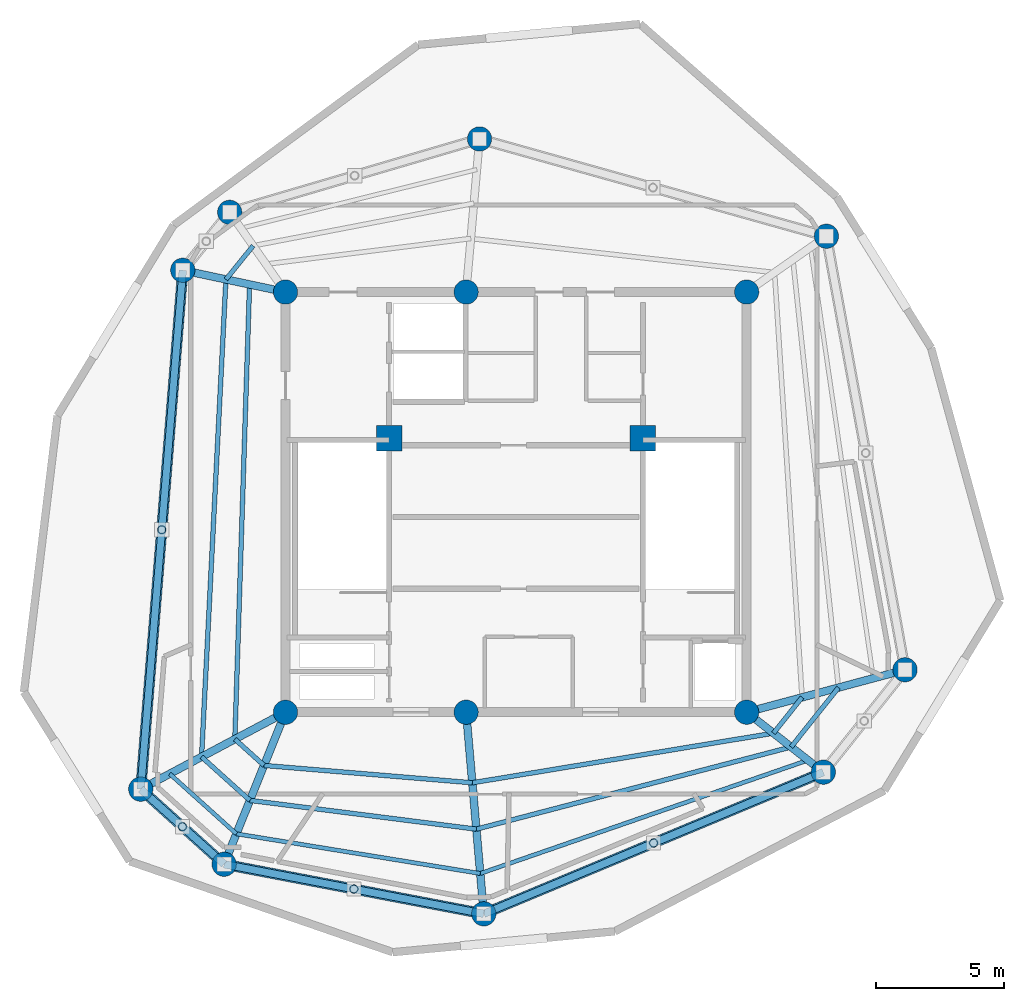
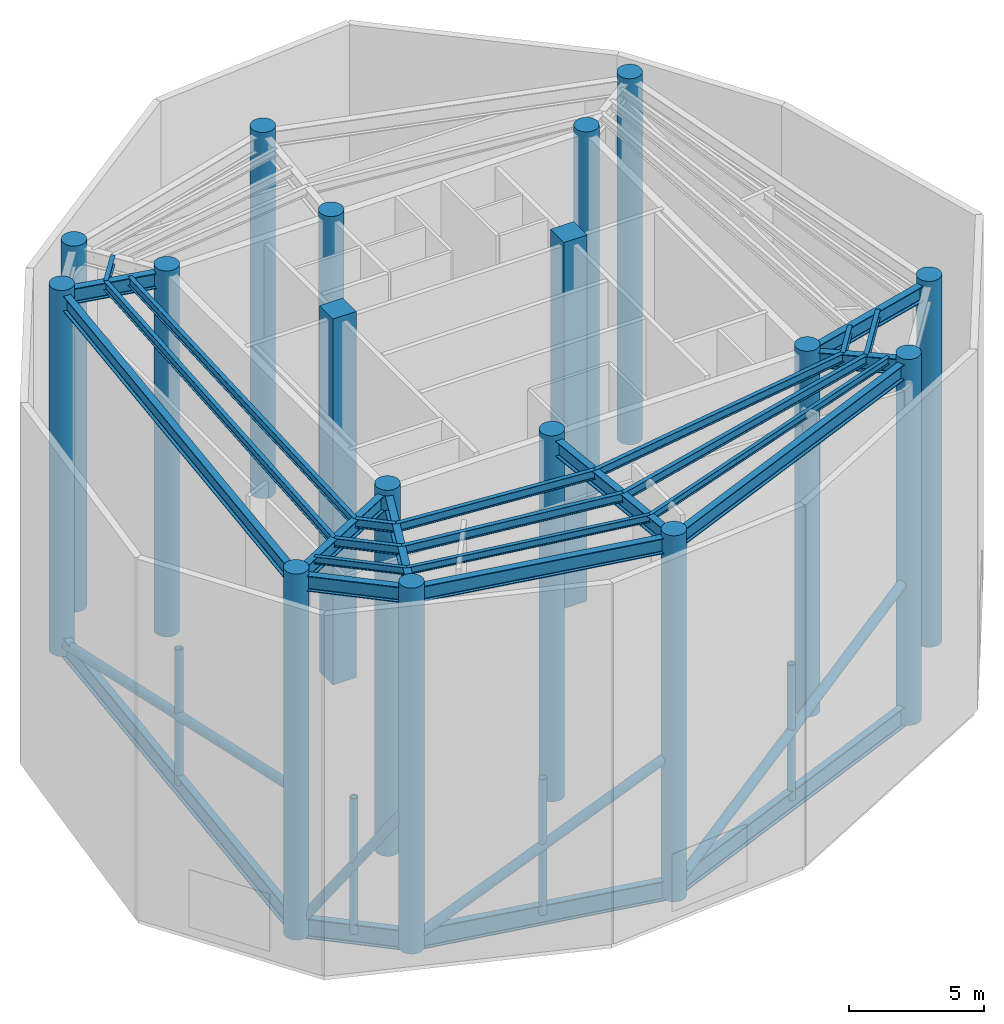
# One storey, part 1 of 6: 24 beams, 17 columns, 12 members.
"""IFC4 building model written with IfcOpenShell, lengths in metres."""

from ifc_helpers import new_model, si_unit, direction, frame, origin, origin_with_axes, origin_2d, place, context, subcontext, project, spatial, rectangle, circle, hollow_circle, i_section, extrude, source, transform, mapped, material, material_profile, profile_set, type_object, element, save


model = new_model("IFC4")

# Units and contexts
model_context = context("Model", 3, precision=1e-05, world=origin(), true_north=direction((0.0, 1.0)))
body_context = subcontext(model_context, "Body", "Model", "MODEL_VIEW")
ifc_project = project(units=[si_unit("LENGTHUNIT", "METRE"), si_unit("AREAUNIT", "SQUARE_METRE"), si_unit("VOLUMEUNIT", "CUBIC_METRE"), si_unit("PLANEANGLEUNIT", "RADIAN"), si_unit("MASSUNIT", "GRAM", prefix="KILO")], contexts=[model_context])

# Site, building, storey
site_placement = place(None, origin())
site = spatial("IfcSite", under=ifc_project, at=site_placement, CompositionType="ELEMENT")
building_placement = place(site_placement, origin())
building = spatial("IfcBuilding", under=site, at=building_placement, Name="Karkom Vertical University and Central Library", CompositionType="ELEMENT")
storey_placement = place(building_placement, frame((0.0, 0.0, 273.39990234375)))
storey = spatial("IfcBuildingStorey", under=building, at=storey_placement, Name="C81", CompositionType="ELEMENT", Elevation=273.39990234375)

# Columns
ifc_material_1 = material(Name="Concrete C45/55", Category="concrete")
ifc_material_profile_1 = material_profile(ifc_material_1, circle(Radius=0.47509765625, at=origin_2d()), Name="CFT-D950")
ifc_profile_set_1 = profile_set([ifc_material_profile_1], Name="Concrete C45/55")
column_type_1 = type_object("IfcColumnType", Name="STR-COL-C-CRN", PredefinedType="COLUMN", material=ifc_profile_set_1)
shared_shape_1 = source(origin_with_axes(), body_context, "Body", "SweptSolid", [
    extrude(circle(Radius=0.47509765625, at=origin_2d()), origin(), (0.0, 0.0, 1.0), 16.60009765625),
])
for number, where, z_axis, x_axis, name in (
    (1, (19.5, 18.300048828125, 0.0), (0.0, 0.0, 1.0), (1.0, 0.0, 0.0), "Crown Level 81 Spine Mega-Column SC-1"),
    (2, (26.550048828125, 18.300048828125, 0.0), (0.0, 0.0, 1.0), (1.0, 0.0, 0.0), "Crown Level 81 Spine Mega-Column SC-2"),
    (3, (37.5, 18.300048828125, 0.0), (0.0, 0.0, 1.0), (1.0, 0.0, 0.0), "Crown Level 81 Spine Mega-Column SC-3"),
    (4, (19.5, 34.699951171875, 0.0), (0.0, 0.0, 1.0), (1.0, 0.0, 0.0), "Crown Level 81 Spine Mega-Column SC-4"),
    (5, (26.550048828125, 34.699951171875, 0.0), (0.0, 0.0, 1.0), (1.0, 0.0, 0.0), "Crown Level 81 Spine Mega-Column SC-5"),
    (6, (37.5, 34.699951171875, 0.0), (0.0, 0.0, 1.0), (1.0, 0.0, 0.0), "Crown Level 81 Spine Mega-Column SC-6"),
    (7, (43.681884765625, 19.9560546875, 0.0), (0.0, 0.0, 1.0), (1.0, 0.0, 0.0), "Crown Level 81 Perimeter Mega-Column Z4-PC1"),
    (8, (40.613037109375, 36.8798828125, 0.0), (0.0, 0.0, 1.0), (1.0, 0.0, 0.0), "Crown Level 81 Perimeter Mega-Column Z4-PC2"),
    (9, (27.072998046875, 40.677001953125, 0.0), (0.0, 0.0, 1.0), (1.0, 0.0, 0.0), "Crown Level 81 Perimeter Mega-Column Z4-PC3"),
    (10, (17.320068359375, 37.81298828125, 0.0), (0.0, 0.0, 1.0), (1.0, 0.0, 0.0), "Crown Level 81 Perimeter Mega-Column Z4-PC4"),
    (11, (15.489990234375, 35.552001953125, 0.0), (0.0, 0.0, 1.0), (1.0, 0.0, 0.0), "Crown Level 81 Perimeter Mega-Column Z4-PC5"),
    (12, (13.84912109375, 15.294921875, 0.0), (0.0, 0.0, 1.0), (1.0, 0.0, 0.0), "Crown Level 81 Perimeter Mega-Column Z4-PC6"),
    (13, (17.10302734375, 12.365966796875, 0.0), (0.0, 0.0, 1.0), (1.0, 0.0, 0.0), "Crown Level 81 Perimeter Mega-Column Z4-PC7"),
    (14, (27.239013671875, 10.429931640625, 0.0), (0.0, 0.0, 1.0), (1.0, 0.0, 0.0), "Crown Level 81 Perimeter Mega-Column Z4-PC8"),
    (15, (40.493896484375, 15.9599609375, 0.0), (0.0, 0.0, 1.0), (1.0, 0.0, 0.0), "Crown Level 81 Perimeter Mega-Column Z4-PC9"),
):
    element("IfcColumn", number, at=place(storey_placement, frame(where, z_axis=z_axis, x_axis=x_axis)), inside=storey, type_object=column_type_1, Name=name, PredefinedType="COLUMN", context=body_context, shape_type="MappedRepresentation", body=[
        mapped(shared_shape_1, transform((0.0, 0.0, 0.0), scale=1.0)),
    ])
ifc_material_2 = material(Name="Concrete C50/60", Category="concrete")
ifc_material_profile_2 = material_profile(ifc_material_2, rectangle(XDim=1.0, YDim=1.0, at=origin_2d()), Name="RC-1000x1000")
ifc_profile_set_2 = profile_set([ifc_material_profile_2], Name="Concrete C50/60")
column_type_2 = type_object("IfcColumnType", Name="STR-COL-C-CC2", PredefinedType="COLUMN", material=ifc_profile_set_2)
shared_shape_2 = source(origin_with_axes(), body_context, "Body", "SweptSolid", [
    extrude(rectangle(XDim=1.0, YDim=1.0, at=origin_2d()), origin(), (0.0, 0.0, 1.0), 16.60009765625),
])
for number, where, z_axis, x_axis, name in (
    (16, (23.550048828125, 29.0, 0.0), (0.0, 0.0, 1.0), (1.0, 0.0, 0.0), "Crown Level 81 Core Node Column CC-1"),
    (17, (33.449951171875, 29.0, 0.0), (0.0, 0.0, 1.0), (1.0, 0.0, 0.0), "Crown Level 81 Core Node Column CC-2"),
):
    element("IfcColumn", number, at=place(storey_placement, frame(where, z_axis=z_axis, x_axis=x_axis)), inside=storey, type_object=column_type_2, Name=name, PredefinedType="COLUMN", context=body_context, shape_type="MappedRepresentation", body=[
        mapped(shared_shape_2, transform((0.0, 0.0, 0.0), scale=1.0)),
    ])

# Beams
ifc_material_3 = material(Name="Steel S355", Category="steel")
ifc_material_profile_3 = material_profile(ifc_material_3, i_section(OverallWidth=0.179931640625, OverallDepth=0.39990234375, WebThickness=0.008544921875, FlangeThickness=0.013427734375, FilletRadius=0.02099609375, at=origin_2d()), Name="IPE 400")
ifc_profile_set_3 = profile_set([ifc_material_profile_3], Name="Steel S355")
beam_type_1 = type_object("IfcBeamType", Name="STR-BM-SB-IPE400", PredefinedType="BEAM", material=ifc_profile_set_3)
shared_shape_3 = source(origin_with_axes(), body_context, "Body", "SweptSolid", [
    extrude(i_section(OverallWidth=0.179931640625, OverallDepth=0.39990234375, WebThickness=0.008544921875, FlangeThickness=0.013427734375, FilletRadius=0.02099609375, at=origin_2d()), origin(), (0.0, 0.0, 1.0), 17.75927734375),
])
beam_1_placement = place(storey_placement, frame((18.096435546875, 34.998291015625, 16.150146484375), z_axis=(-0.032333437334, -0.999477137723, 0.0), x_axis=(0.999477137723, -0.032333437334, 0.0)))
element("IfcBeam", 18, at=beam_1_placement, inside=storey, type_object=beam_type_1, Name="Crown Level 81 Secondary Composite Floor Beam 1.05", PredefinedType="BEAM", context=body_context, shape_type="MappedRepresentation", body=[
    mapped(shared_shape_3, transform((0.0, 0.0, 0.0), scale=1.0)),
])
shared_shape_4 = source(origin_with_axes(), body_context, "Body", "SweptSolid", [
    extrude(i_section(OverallWidth=0.179931640625, OverallDepth=0.39990234375, WebThickness=0.008544921875, FlangeThickness=0.013427734375, FilletRadius=0.02099609375, at=origin_2d()), origin(), (0.0, 0.0, 1.0), 1.5322265625),
])
beam_2_placement = place(storey_placement, frame((17.522216796875, 17.248291015625, 16.150146484375), z_axis=(0.743183211059, -0.669087972392, 0.0), x_axis=(0.669087972392, 0.743183211059, 0.0)))
element("IfcBeam", 19, at=beam_2_placement, inside=storey, type_object=beam_type_1, Name="Crown Level 81 Secondary Composite Floor Beam 1.06", PredefinedType="BEAM", context=body_context, shape_type="MappedRepresentation", body=[
    mapped(shared_shape_4, transform((0.0, 0.0, 0.0), scale=1.0)),
])
shared_shape_5 = source(origin_with_axes(), body_context, "Body", "SweptSolid", [
    extrude(i_section(OverallWidth=0.179931640625, OverallDepth=0.39990234375, WebThickness=0.008544921875, FlangeThickness=0.013427734375, FilletRadius=0.02099609375, at=origin_2d()), origin(), (0.0, 0.0, 1.0), 8.15869140625),
])
beam_3_placement = place(storey_placement, frame((18.660888671875, 16.22314453125, 16.150146484375), z_axis=(0.996543694183, -0.083070244882, 0.0), x_axis=(0.083070244882, 0.996543694183, 0.0)))
element("IfcBeam", 20, at=beam_3_placement, inside=storey, type_object=beam_type_1, Name="Crown Level 81 Secondary Composite Floor Beam 1.07", PredefinedType="BEAM", context=body_context, shape_type="MappedRepresentation", body=[
    mapped(shared_shape_5, transform((0.0, 0.0, 0.0), scale=1.0)),
])
shared_shape_6 = source(origin_with_axes(), body_context, "Body", "SweptSolid", [
    extrude(i_section(OverallWidth=0.179931640625, OverallDepth=0.39990234375, WebThickness=0.008544921875, FlangeThickness=0.013427734375, FilletRadius=0.02099609375, at=origin_2d()), origin(), (0.0, 0.0, 1.0), 11.914794921875),
])
beam_4_placement = place(storey_placement, frame((26.791259765625, 15.54541015625, 16.150146484375), z_axis=(0.986717073469, 0.162448197663, 0.0), x_axis=(-0.162448197663, 0.986717073469, 0.0)))
element("IfcBeam", 21, at=beam_4_placement, inside=storey, type_object=beam_type_1, Name="Crown Level 81 Secondary Composite Floor Beam 1.08", PredefinedType="BEAM", context=body_context, shape_type="MappedRepresentation", body=[
    mapped(shared_shape_6, transform((0.0, 0.0, 0.0), scale=1.0)),
])
shared_shape_7 = source(origin_with_axes(), body_context, "Body", "SweptSolid", [
    extrude(i_section(OverallWidth=0.179931640625, OverallDepth=0.39990234375, WebThickness=0.008544921875, FlangeThickness=0.013427734375, FilletRadius=0.02099609375, at=origin_2d()), origin(), (0.0, 0.0, 1.0), 1.789306640625),
])
beam_5_placement = place(storey_placement, frame((38.5478515625, 17.48095703125, 16.150146484375), z_axis=(0.623679519349, 0.781680150154, 0.0), x_axis=(-0.781680150154, 0.623679519349, 0.0)))
element("IfcBeam", 22, at=beam_5_placement, inside=storey, type_object=beam_type_1, Name="Crown Level 81 Secondary Composite Floor Beam 1.09", PredefinedType="BEAM", context=body_context, shape_type="MappedRepresentation", body=[
    mapped(shared_shape_7, transform((0.0, 0.0, 0.0), scale=1.0)),
])
shared_shape_8 = source(origin_with_axes(), body_context, "Body", "SweptSolid", [
    extrude(i_section(OverallWidth=0.179931640625, OverallDepth=0.39990234375, WebThickness=0.008544921875, FlangeThickness=0.013427734375, FilletRadius=0.02099609375, at=origin_2d()), origin(), (0.0, 0.0, 1.0), 1.68701171875),
])
beam_6_placement = place(storey_placement, frame((18.235595703125, 36.505615234375, 16.150146484375), z_axis=(-0.629044191861, -0.777369541908, 0.0), x_axis=(0.777369541908, -0.629044191861, 0.0)))
element("IfcBeam", 23, at=beam_6_placement, inside=storey, type_object=beam_type_1, Name="Crown Level 81 Secondary Composite Floor Beam 2.04", PredefinedType="BEAM", context=body_context, shape_type="MappedRepresentation", body=[
    mapped(shared_shape_8, transform((0.0, 0.0, 0.0), scale=1.0)),
])
shared_shape_9 = source(origin_with_axes(), body_context, "Body", "SweptSolid", [
    extrude(i_section(OverallWidth=0.179931640625, OverallDepth=0.39990234375, WebThickness=0.008544921875, FlangeThickness=0.013427734375, FilletRadius=0.02099609375, at=origin_2d()), origin(), (0.0, 0.0, 1.0), 18.661376953125),
])
beam_7_placement = place(storey_placement, frame((17.17431640625, 35.194091796875, 16.150146484375), z_axis=(-0.051009656211, -0.998698160093, 0.0), x_axis=(0.998698160093, -0.051009656211, 0.0)))
element("IfcBeam", 24, at=beam_7_placement, inside=storey, type_object=beam_type_1, Name="Crown Level 81 Secondary Composite Floor Beam 2.05", PredefinedType="BEAM", context=body_context, shape_type="MappedRepresentation", body=[
    mapped(shared_shape_9, transform((0.0, 0.0, 0.0), scale=1.0)),
])
shared_shape_10 = source(origin_with_axes(), body_context, "Body", "SweptSolid", [
    extrude(i_section(OverallWidth=0.179931640625, OverallDepth=0.39990234375, WebThickness=0.008544921875, FlangeThickness=0.013427734375, FilletRadius=0.02099609375, at=origin_2d()), origin(), (0.0, 0.0, 1.0), 2.5390625),
])
beam_8_placement = place(storey_placement, frame((16.222412109375, 16.55712890625, 16.150146484375), z_axis=(0.743246334517, -0.669017851949, 0.0), x_axis=(0.669017851949, 0.743246334517, 0.0)))
element("IfcBeam", 25, at=beam_8_placement, inside=storey, type_object=beam_type_1, Name="Crown Level 81 Secondary Composite Floor Beam 2.06", PredefinedType="BEAM", context=body_context, shape_type="MappedRepresentation", body=[
    mapped(shared_shape_10, transform((0.0, 0.0, 0.0), scale=1.0)),
])
shared_shape_11 = source(origin_with_axes(), body_context, "Body", "SweptSolid", [
    extrude(i_section(OverallWidth=0.179931640625, OverallDepth=0.39990234375, WebThickness=0.008544921875, FlangeThickness=0.013427734375, FilletRadius=0.02099609375, at=origin_2d()), origin(), (0.0, 0.0, 1.0), 8.9111328125),
])
beam_9_placement = place(storey_placement, frame((18.109619140625, 14.8583984375, 16.150146484375), z_axis=(0.992026771403, -0.126027317751, 0.0), x_axis=(0.126027317751, 0.992026771403, 0.0)))
element("IfcBeam", 26, at=beam_9_placement, inside=storey, type_object=beam_type_1, Name="Crown Level 81 Secondary Composite Floor Beam 2.07", PredefinedType="BEAM", context=body_context, shape_type="MappedRepresentation", body=[
    mapped(shared_shape_11, transform((0.0, 0.0, 0.0), scale=1.0)),
])
shared_shape_12 = source(origin_with_axes(), body_context, "Body", "SweptSolid", [
    extrude(i_section(OverallWidth=0.179931640625, OverallDepth=0.39990234375, WebThickness=0.008544921875, FlangeThickness=0.013427734375, FilletRadius=0.02099609375, at=origin_2d()), origin(), (0.0, 0.0, 1.0), 12.69873046875),
])
beam_10_placement = place(storey_placement, frame((26.94970703125, 13.7353515625, 16.150146484375), z_axis=(0.967573974729, 0.252587813301, 0.0), x_axis=(-0.252587813301, 0.967573974729, 0.0)))
element("IfcBeam", 27, at=beam_10_placement, inside=storey, type_object=beam_type_1, Name="Crown Level 81 Secondary Composite Floor Beam 2.08", PredefinedType="BEAM", context=body_context, shape_type="MappedRepresentation", body=[
    mapped(shared_shape_12, transform((0.0, 0.0, 0.0), scale=1.0)),
])
shared_shape_13 = source(origin_with_axes(), body_context, "Body", "SweptSolid", [
    extrude(i_section(OverallWidth=0.179931640625, OverallDepth=0.39990234375, WebThickness=0.008544921875, FlangeThickness=0.013427734375, FilletRadius=0.02099609375, at=origin_2d()), origin(), (0.0, 0.0, 1.0), 2.96484375),
])
beam_11_placement = place(storey_placement, frame((39.236572265625, 16.94287109375, 16.150146484375), z_axis=(0.623670236397, 0.781687556657, 0.0), x_axis=(-0.781687556657, 0.623670236397, 0.0)))
element("IfcBeam", 28, at=beam_11_placement, inside=storey, type_object=beam_type_1, Name="Crown Level 81 Secondary Composite Floor Beam 2.09", PredefinedType="BEAM", context=body_context, shape_type="MappedRepresentation", body=[
    mapped(shared_shape_13, transform((0.0, 0.0, 0.0), scale=1.0)),
])
ifc_material_profile_4 = material_profile(ifc_material_3, i_section(OverallWidth=0.159912109375, OverallDepth=0.330078125, WebThickness=0.007568359375, FlangeThickness=0.011474609375, FilletRadius=0.01806640625, at=origin_2d()), Name="IPE 330")
ifc_profile_set_4 = profile_set([ifc_material_profile_4], Name="Steel S355")
beam_type_2 = type_object("IfcBeamType", Name="STR-BM-SB-IPE330", PredefinedType="BEAM", material=ifc_profile_set_4)
shared_shape_14 = source(origin_with_axes(), body_context, "Body", "SweptSolid", [
    extrude(i_section(OverallWidth=0.159912109375, OverallDepth=0.330078125, WebThickness=0.007568359375, FlangeThickness=0.011474609375, FilletRadius=0.01806640625, at=origin_2d()), origin(), (0.0, 0.0, 1.0), 3.50244140625),
])
beam_12_placement = place(storey_placement, frame((14.979248046875, 15.89599609375, 16.18505859375), z_axis=(0.743249087562, -0.669014793437, 0.0), x_axis=(0.669014793437, 0.743249087562, 0.0)))
element("IfcBeam", 29, at=beam_12_placement, inside=storey, type_object=beam_type_2, Name="Crown Level 81 Secondary Composite Floor Beam 3.06", PredefinedType="BEAM", context=body_context, shape_type="MappedRepresentation", body=[
    mapped(shared_shape_14, transform((0.0, 0.0, 0.0), scale=1.0)),
])
shared_shape_15 = source(origin_with_axes(), body_context, "Body", "SweptSolid", [
    extrude(i_section(OverallWidth=0.159912109375, OverallDepth=0.330078125, WebThickness=0.007568359375, FlangeThickness=0.011474609375, FilletRadius=0.01806640625, at=origin_2d()), origin(), (0.0, 0.0, 1.0), 9.64404296875),
])
beam_13_placement = place(storey_placement, frame((17.58251953125, 13.552734375, 16.18505859375), z_axis=(0.987019497924, -0.160600469231, 0.0), x_axis=(0.160600469231, 0.987019497924, 0.0)))
element("IfcBeam", 30, at=beam_13_placement, inside=storey, type_object=beam_type_2, Name="Crown Level 81 Secondary Composite Floor Beam 3.07", PredefinedType="BEAM", context=body_context, shape_type="MappedRepresentation", body=[
    mapped(shared_shape_15, transform((0.0, 0.0, 0.0), scale=1.0)),
])
shared_shape_16 = source(origin_with_axes(), body_context, "Body", "SweptSolid", [
    extrude(i_section(OverallWidth=0.159912109375, OverallDepth=0.330078125, WebThickness=0.007568359375, FlangeThickness=0.011474609375, FilletRadius=0.01806640625, at=origin_2d()), origin(), (0.0, 0.0, 1.0), 13.537353515625),
])
beam_14_placement = place(storey_placement, frame((27.101318359375, 12.00390625, 16.18505859375), z_axis=(0.945091088216, 0.32680703018, 0.0), x_axis=(-0.32680703018, 0.945091088216, 0.0)))
element("IfcBeam", 31, at=beam_14_placement, inside=storey, type_object=beam_type_2, Name="Crown Level 81 Secondary Composite Floor Beam 3.08", PredefinedType="BEAM", context=body_context, shape_type="MappedRepresentation", body=[
    mapped(shared_shape_16, transform((0.0, 0.0, 0.0), scale=1.0)),
])

# Members
ifc_material_4 = material(Name="Steel S460", Category="steel")
ifc_material_profile_5 = material_profile(ifc_material_4, i_section(OverallWidth=0.300048828125, OverallDepth=0.89990234375, WebThickness=0.0185546875, FlangeThickness=0.034912109375, FilletRadius=0.030029296875, at=origin_2d()), Name="HE 900 B")
ifc_profile_set_5 = profile_set([ifc_material_profile_5], Name="Steel S460")
member_type_1 = type_object("IfcMemberType", Name="STR-MEM-CH-1", PredefinedType="CHORD", material=ifc_profile_set_5)
shared_shape_17 = source(origin_with_axes(), body_context, "Body", "SweptSolid", [
    extrude(i_section(OverallWidth=0.300048828125, OverallDepth=0.89990234375, WebThickness=0.0185546875, FlangeThickness=0.034912109375, FilletRadius=0.030029296875, at=origin_2d()), origin(), (0.0, 0.0, 1.0), 20.323486328125),
])
member_1_placement = place(storey_placement, frame((15.489990234375, 35.552001953125, 0.35009765625), z_axis=(-0.080737811681, -0.996735373991, 0.0), x_axis=(0.996735373991, -0.080737811681, 0.0)))
element("IfcMember", 32, at=member_1_placement, inside=storey, type_object=member_type_1, Name="Crown Level 81 Belt Truss Bottom Chord 05", PredefinedType="CHORD", context=body_context, shape_type="MappedRepresentation", body=[
    mapped(shared_shape_17, transform((0.0, 0.0, 0.0), scale=1.0)),
])
shared_shape_18 = source(origin_with_axes(), body_context, "Body", "SweptSolid", [
    extrude(i_section(OverallWidth=0.300048828125, OverallDepth=0.89990234375, WebThickness=0.0185546875, FlangeThickness=0.034912109375, FilletRadius=0.030029296875, at=origin_2d()), origin(), (0.0, 0.0, 1.0), 4.3779296875),
])
member_2_placement = place(storey_placement, frame((13.84912109375, 15.294921875, 0.35009765625), z_axis=(0.743244232405, -0.669020187287, 0.0), x_axis=(0.669020187287, 0.743244232405, 0.0)))
element("IfcMember", 33, at=member_2_placement, inside=storey, type_object=member_type_1, Name="Crown Level 81 Belt Truss Bottom Chord 06", PredefinedType="CHORD", context=body_context, shape_type="MappedRepresentation", body=[
    mapped(shared_shape_18, transform((0.0, 0.0, 0.0), scale=1.0)),
])
shared_shape_19 = source(origin_with_axes(), body_context, "Body", "SweptSolid", [
    extrude(i_section(OverallWidth=0.300048828125, OverallDepth=0.89990234375, WebThickness=0.0185546875, FlangeThickness=0.034912109375, FilletRadius=0.030029296875, at=origin_2d()), origin(), (0.0, 0.0, 1.0), 10.3193359375),
])
member_3_placement = place(storey_placement, frame((17.10302734375, 12.365966796875, 0.35009765625), z_axis=(0.982242767385, -0.187614354249, 0.0), x_axis=(0.187614354249, 0.982242767385, 0.0)))
element("IfcMember", 34, at=member_3_placement, inside=storey, type_object=member_type_1, Name="Crown Level 81 Belt Truss Bottom Chord 07", PredefinedType="CHORD", context=body_context, shape_type="MappedRepresentation", body=[
    mapped(shared_shape_19, transform((0.0, 0.0, 0.0), scale=1.0)),
])
shared_shape_20 = source(origin_with_axes(), body_context, "Body", "SweptSolid", [
    extrude(i_section(OverallWidth=0.300048828125, OverallDepth=0.89990234375, WebThickness=0.0185546875, FlangeThickness=0.034912109375, FilletRadius=0.030029296875, at=origin_2d()), origin(), (0.0, 0.0, 1.0), 14.3623046875),
])
member_4_placement = place(storey_placement, frame((27.239013671875, 10.429931640625, 0.35009765625), z_axis=(0.922899796194, 0.385040213725, 0.0), x_axis=(-0.385040213725, 0.922899796194, 0.0)))
element("IfcMember", 35, at=member_4_placement, inside=storey, type_object=member_type_1, Name="Crown Level 81 Belt Truss Bottom Chord 08", PredefinedType="CHORD", context=body_context, shape_type="MappedRepresentation", body=[
    mapped(shared_shape_20, transform((0.0, 0.0, 0.0), scale=1.0)),
])

# Beams
ifc_material_profile_6 = material_profile(ifc_material_3, i_section(OverallWidth=0.300048828125, OverallDepth=0.699951171875, WebThickness=0.01708984375, FlangeThickness=0.031982421875, FilletRadius=0.027099609375, at=origin_2d()), Name="HE 700 B")
ifc_profile_set_6 = profile_set([ifc_material_profile_6], Name="Steel S355")
beam_type_3 = type_object("IfcBeamType", Name="STR-BM-SB-HE700", PredefinedType="USERDEFINED", material=ifc_profile_set_6)
shared_shape_21 = source(origin_with_axes(), body_context, "Body", "SweptSolid", [
    extrude(i_section(OverallWidth=0.300048828125, OverallDepth=0.699951171875, WebThickness=0.01708984375, FlangeThickness=0.031982421875, FilletRadius=0.027099609375, at=origin_2d()), origin(), (0.0, 0.0, 1.0), 6.39990234375),
])
for number, where, z_axis, x_axis, name in (
    (36, (37.5, 18.300048828125, 16.0), (0.965942432948, 0.258757060254, 0.0), (-0.258757060254, 0.965942432948, 0.0), "Crown Level 81 Radial Frame Girder 01"),
    (37, (19.5, 18.300048828125, 16.0), (-0.374532429749, -0.927213815183, 0.0), (0.927213815183, -0.374532429749, 0.0), "Crown Level 81 Radial Frame Girder 07"),
):
    element("IfcBeam", number, at=place(storey_placement, frame(where, z_axis=z_axis, x_axis=x_axis)), inside=storey, type_object=beam_type_3, Name=name, ObjectType="GIRDER", PredefinedType="USERDEFINED", context=body_context, shape_type="MappedRepresentation", body=[
        mapped(shared_shape_21, transform((0.0, 0.0, 0.0), scale=1.0)),
    ])
shared_shape_22 = source(origin_with_axes(), body_context, "Body", "SweptSolid", [
    extrude(i_section(OverallWidth=0.300048828125, OverallDepth=0.699951171875, WebThickness=0.01708984375, FlangeThickness=0.031982421875, FilletRadius=0.027099609375, at=origin_2d()), origin(), (0.0, 0.0, 1.0), 4.099609375),
])
beam_15_placement = place(storey_placement, frame((19.5, 34.699951171875, 16.0), z_axis=(-0.978162634602, 0.207840949453, 0.0), x_axis=(-0.207840949453, -0.978162634602, 0.0)))
element("IfcBeam", 38, at=beam_15_placement, inside=storey, type_object=beam_type_3, Name="Crown Level 81 Radial Frame Girder 05", ObjectType="GIRDER", PredefinedType="USERDEFINED", context=body_context, shape_type="MappedRepresentation", body=[
    mapped(shared_shape_22, transform((0.0, 0.0, 0.0), scale=1.0)),
])
shared_shape_23 = source(origin_with_axes(), body_context, "Body", "SweptSolid", [
    extrude(i_section(OverallWidth=0.300048828125, OverallDepth=0.699951171875, WebThickness=0.01708984375, FlangeThickness=0.031982421875, FilletRadius=0.027099609375, at=origin_2d()), origin(), (0.0, 0.0, 1.0), 6.400146484375),
])
beam_16_placement = place(storey_placement, frame((19.5, 18.300048828125, 16.0), z_axis=(-0.882915120857, -0.469532628645, 0.0), x_axis=(0.469532628645, -0.882915120857, 0.0)))
element("IfcBeam", 39, at=beam_16_placement, inside=storey, type_object=beam_type_3, Name="Crown Level 81 Radial Frame Girder 06", ObjectType="GIRDER", PredefinedType="USERDEFINED", context=body_context, shape_type="MappedRepresentation", body=[
    mapped(shared_shape_23, transform((0.0, 0.0, 0.0), scale=1.0)),
])
shared_shape_24 = source(origin_with_axes(), body_context, "Body", "SweptSolid", [
    extrude(i_section(OverallWidth=0.300048828125, OverallDepth=0.699951171875, WebThickness=0.01708984375, FlangeThickness=0.031982421875, FilletRadius=0.027099609375, at=origin_2d()), origin(), (0.0, 0.0, 1.0), 7.900146484375),
])
beam_17_placement = place(storey_placement, frame((26.550048828125, 18.300048828125, 16.0), z_axis=(0.087208352312, -0.996190093951, 0.0), x_axis=(0.996190093951, 0.087208352312, 0.0)))
element("IfcBeam", 40, at=beam_17_placement, inside=storey, type_object=beam_type_3, Name="Crown Level 81 Radial Frame Girder 08", ObjectType="GIRDER", PredefinedType="USERDEFINED", context=body_context, shape_type="MappedRepresentation", body=[
    mapped(shared_shape_24, transform((0.0, 0.0, 0.0), scale=1.0)),
])
shared_shape_25 = source(origin_with_axes(), body_context, "Body", "SweptSolid", [
    extrude(i_section(OverallWidth=0.300048828125, OverallDepth=0.699951171875, WebThickness=0.01708984375, FlangeThickness=0.031982421875, FilletRadius=0.027099609375, at=origin_2d()), origin(), (0.0, 0.0, 1.0), 3.7998046875),
])
beam_18_placement = place(storey_placement, frame((37.5, 18.300048828125, 16.0), z_axis=(0.787883114707, -0.61582481077, 0.0), x_axis=(0.61582481077, 0.787883114707, 0.0)))
element("IfcBeam", 41, at=beam_18_placement, inside=storey, type_object=beam_type_3, Name="Crown Level 81 Radial Frame Girder 09", ObjectType="GIRDER", PredefinedType="USERDEFINED", context=body_context, shape_type="MappedRepresentation", body=[
    mapped(shared_shape_25, transform((0.0, 0.0, 0.0), scale=1.0)),
])
shared_shape_26 = source(origin_with_axes(), body_context, "Body", "SweptSolid", [
    extrude(i_section(OverallWidth=0.300048828125, OverallDepth=0.699951171875, WebThickness=0.01708984375, FlangeThickness=0.031982421875, FilletRadius=0.027099609375, at=origin_2d()), origin(), (0.0, 0.0, 1.0), 20.323486328125),
])
beam_19_placement = place(storey_placement, frame((15.489990234375, 35.552001953125, 16.0), z_axis=(-0.080737811681, -0.996735373991, 0.0), x_axis=(0.996735373991, -0.080737811681, 0.0)))
element("IfcBeam", 42, at=beam_19_placement, inside=storey, type_object=beam_type_3, Name="Crown Level 81 Perimeter Spandrel Beam 05", ObjectType="GIRDER", PredefinedType="USERDEFINED", context=body_context, shape_type="MappedRepresentation", body=[
    mapped(shared_shape_26, transform((0.0, 0.0, 0.0), scale=1.0)),
])
shared_shape_27 = source(origin_with_axes(), body_context, "Body", "SweptSolid", [
    extrude(i_section(OverallWidth=0.300048828125, OverallDepth=0.699951171875, WebThickness=0.01708984375, FlangeThickness=0.031982421875, FilletRadius=0.027099609375, at=origin_2d()), origin(), (0.0, 0.0, 1.0), 4.3779296875),
])
beam_20_placement = place(storey_placement, frame((13.84912109375, 15.294921875, 16.0), z_axis=(0.743244232405, -0.669020187287, 0.0), x_axis=(0.669020187287, 0.743244232405, 0.0)))
element("IfcBeam", 43, at=beam_20_placement, inside=storey, type_object=beam_type_3, Name="Crown Level 81 Perimeter Spandrel Beam 06", ObjectType="GIRDER", PredefinedType="USERDEFINED", context=body_context, shape_type="MappedRepresentation", body=[
    mapped(shared_shape_27, transform((0.0, 0.0, 0.0), scale=1.0)),
])
shared_shape_28 = source(origin_with_axes(), body_context, "Body", "SweptSolid", [
    extrude(i_section(OverallWidth=0.300048828125, OverallDepth=0.699951171875, WebThickness=0.01708984375, FlangeThickness=0.031982421875, FilletRadius=0.027099609375, at=origin_2d()), origin(), (0.0, 0.0, 1.0), 10.3193359375),
])
beam_21_placement = place(storey_placement, frame((17.10302734375, 12.365966796875, 16.0), z_axis=(0.982242767385, -0.187614354249, 0.0), x_axis=(0.187614354249, 0.982242767385, 0.0)))
element("IfcBeam", 44, at=beam_21_placement, inside=storey, type_object=beam_type_3, Name="Crown Level 81 Perimeter Spandrel Beam 07", ObjectType="GIRDER", PredefinedType="USERDEFINED", context=body_context, shape_type="MappedRepresentation", body=[
    mapped(shared_shape_28, transform((0.0, 0.0, 0.0), scale=1.0)),
])
shared_shape_29 = source(origin_with_axes(), body_context, "Body", "SweptSolid", [
    extrude(i_section(OverallWidth=0.300048828125, OverallDepth=0.699951171875, WebThickness=0.01708984375, FlangeThickness=0.031982421875, FilletRadius=0.027099609375, at=origin_2d()), origin(), (0.0, 0.0, 1.0), 14.3623046875),
])
beam_22_placement = place(storey_placement, frame((27.239013671875, 10.429931640625, 16.0), z_axis=(0.922899796194, 0.385040213725, 0.0), x_axis=(-0.385040213725, 0.922899796194, 0.0)))
element("IfcBeam", 45, at=beam_22_placement, inside=storey, type_object=beam_type_3, Name="Crown Level 81 Perimeter Spandrel Beam 08", ObjectType="GIRDER", PredefinedType="USERDEFINED", context=body_context, shape_type="MappedRepresentation", body=[
    mapped(shared_shape_29, transform((0.0, 0.0, 0.0), scale=1.0)),
])

# Members
ifc_material_profile_7 = material_profile(ifc_material_3, hollow_circle(Radius=0.161865234375, WallThickness=0.01611328125, at=origin_2d()), Name="CHS 323.9x16")
ifc_profile_set_7 = profile_set([ifc_material_profile_7], Name="Steel S355")
member_type_2 = type_object("IfcMemberType", Name="STR-MEM-PT-1", PredefinedType="POST", material=ifc_profile_set_7)
shared_shape_30 = source(origin_with_axes(), body_context, "Body", "SweptSolid", [
    extrude(hollow_circle(Radius=0.161865234375, WallThickness=0.01611328125, at=origin_2d()), origin(), (0.0, 0.0, 1.0), 6.14990234375),
])
for number, where, z_axis, x_axis, name in (
    (46, (14.66943359375, 25.423583984375, 0.35009765625), (0.0, 0.0, 1.0), (1.0, 0.0, 0.0), "Crown Level 81 Belt Truss Web Post 05"),
    (47, (15.47607421875, 13.83056640625, 0.35009765625), (0.0, 0.0, 1.0), (1.0, 0.0, 0.0), "Crown Level 81 Belt Truss Web Post 06"),
    (48, (22.1708984375, 11.39794921875, 0.35009765625), (0.0, 0.0, 1.0), (1.0, 0.0, 0.0), "Crown Level 81 Belt Truss Web Post 07"),
    (49, (33.866455078125, 13.195068359375, 0.35009765625), (0.0, 0.0, 1.0), (1.0, 0.0, 0.0), "Crown Level 81 Belt Truss Web Post 08"),
):
    element("IfcMember", number, at=place(storey_placement, frame(where, z_axis=z_axis, x_axis=x_axis)), inside=storey, type_object=member_type_2, Name=name, PredefinedType="POST", context=body_context, shape_type="MappedRepresentation", body=[
        mapped(shared_shape_30, transform((0.0, 0.0, 0.0), scale=1.0)),
    ])
ifc_material_profile_8 = material_profile(ifc_material_3, hollow_circle(Radius=0.203125, WallThickness=0.02001953125, at=origin_2d()), Name="CHS 406.4x20")
ifc_profile_set_8 = profile_set([ifc_material_profile_8], Name="Steel S355")
member_type_3 = type_object("IfcMemberType", Name="STR-MEM-BR-2", PredefinedType="BRACE", material=ifc_profile_set_8)
shared_shape_31 = source(origin_with_axes(), body_context, "Body", "SweptSolid", [
    extrude(hollow_circle(Radius=0.203125, WallThickness=0.02001953125, at=origin_2d()), origin(), (0.0, 0.0, 1.0), 21.233642578125),
])
member_5_placement = place(storey_placement, frame((15.489990234375, 35.552001953125, 0.35009765625), z_axis=(-0.077277244548, -0.954013511659, 0.289631571218), x_axis=(0.996735373991, -0.080737811681, 0.0)))
element("IfcMember", 50, at=member_5_placement, inside=storey, type_object=member_type_3, Name="Crown Level 81 Belt Truss Diagonal Brace 05", PredefinedType="BRACE", context=body_context, shape_type="MappedRepresentation", body=[
    mapped(shared_shape_31, transform((0.0, 0.0, 0.0), scale=1.0)),
])
shared_shape_32 = source(origin_with_axes(), body_context, "Body", "SweptSolid", [
    extrude(hollow_circle(Radius=0.203125, WallThickness=0.02001953125, at=origin_2d()), origin(), (0.0, 0.0, 1.0), 7.549072265625),
])
member_6_placement = place(storey_placement, frame((13.84912109375, 15.294921875, 0.35009765625), z_axis=(0.431035851987, -0.387990479914, 0.814660347506), x_axis=(0.669020187287, 0.743244232405, 0.0)))
element("IfcMember", 51, at=member_6_placement, inside=storey, type_object=member_type_3, Name="Crown Level 81 Belt Truss Diagonal Brace 06", PredefinedType="BRACE", context=body_context, shape_type="MappedRepresentation", body=[
    mapped(shared_shape_32, transform((0.0, 0.0, 0.0), scale=1.0)),
])
shared_shape_33 = source(origin_with_axes(), body_context, "Body", "SweptSolid", [
    extrude(hollow_circle(Radius=0.203125, WallThickness=0.02001953125, at=origin_2d()), origin(), (0.0, 0.0, 1.0), 12.0126953125),
])
member_7_placement = place(storey_placement, frame((17.10302734375, 12.365966796875, 0.35009765625), z_axis=(0.843764382424, -0.16116413885, 0.511945101844), x_axis=(0.187614354249, 0.982242767385, 0.0)))
element("IfcMember", 52, at=member_7_placement, inside=storey, type_object=member_type_3, Name="Crown Level 81 Belt Truss Diagonal Brace 07", PredefinedType="BRACE", context=body_context, shape_type="MappedRepresentation", body=[
    mapped(shared_shape_33, transform((0.0, 0.0, 0.0), scale=1.0)),
])
shared_shape_34 = source(origin_with_axes(), body_context, "Body", "SweptSolid", [
    extrude(hollow_circle(Radius=0.203125, WallThickness=0.02001953125, at=origin_2d()), origin(), (0.0, 0.0, 1.0), 15.62353515625),
])
member_8_placement = place(storey_placement, frame((27.239013671875, 10.429931640625, 0.35009765625), z_axis=(0.848392748472, 0.353955355221, 0.393630983092), x_axis=(-0.385040213725, 0.922899796194, 0.0)))
element("IfcMember", 53, at=member_8_placement, inside=storey, type_object=member_type_3, Name="Crown Level 81 Belt Truss Diagonal Brace 08", PredefinedType="BRACE", context=body_context, shape_type="MappedRepresentation", body=[
    mapped(shared_shape_34, transform((0.0, 0.0, 0.0), scale=1.0)),
])

save(model, "model.ifc")
